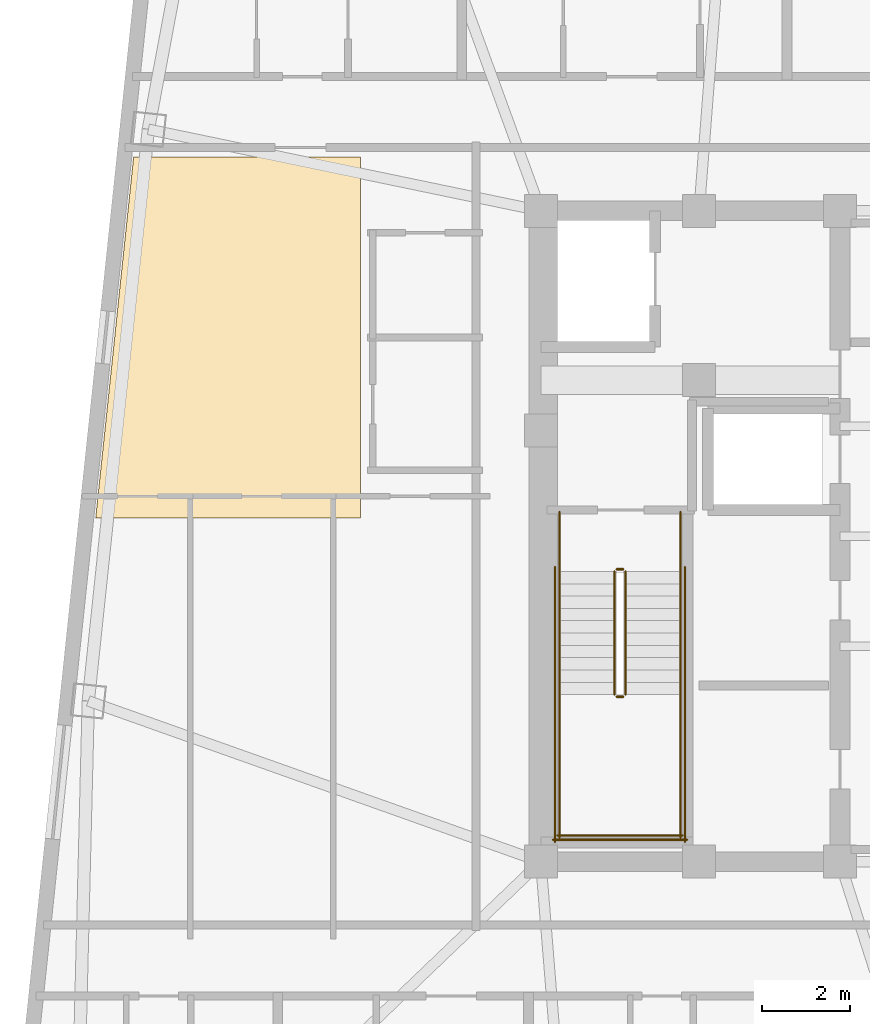
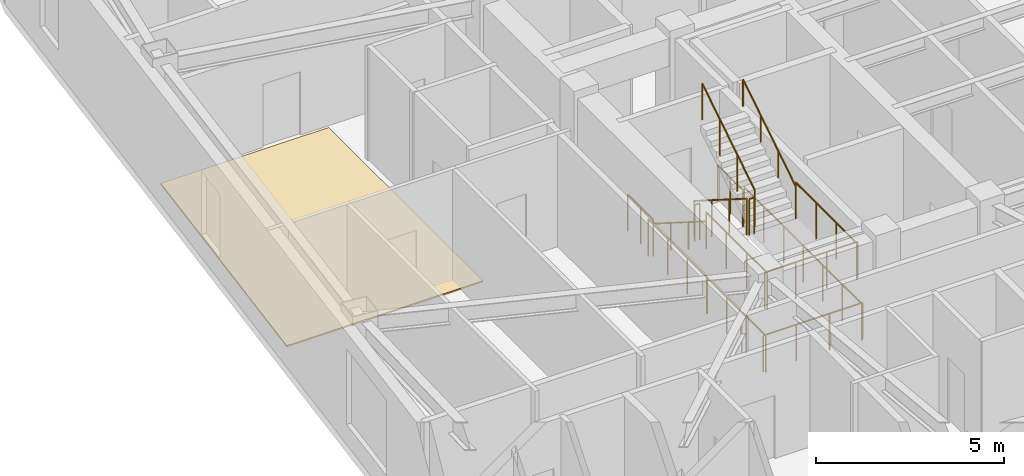
# One storey, part 10 of 11: 14 railings, 1 covering.
"""IFC4 building model written with IfcOpenShell, lengths in metres."""

from ifc_helpers import new_model, si_unit, direction, frame, origin, origin_2d, place, context, subcontext, project, spatial, polyline, circle, outline, extrude, material, layer, layer_set, type_object, element, save


model = new_model("IFC4")

# Units and contexts
model_context = context("Model", 3, precision=1e-05, world=origin(), true_north=direction((0.0, 1.0)))
body_context = subcontext(model_context, "Body", "Model", "MODEL_VIEW")
ifc_project = project(units=[si_unit("LENGTHUNIT", "METRE"), si_unit("AREAUNIT", "SQUARE_METRE"), si_unit("VOLUMEUNIT", "CUBIC_METRE"), si_unit("PLANEANGLEUNIT", "RADIAN"), si_unit("MASSUNIT", "GRAM", prefix="KILO")], contexts=[model_context])

# Site, building, storey
site_placement = place(None, origin())
site = spatial("IfcSite", under=ifc_project, at=site_placement, CompositionType="ELEMENT")
building_placement = place(site_placement, origin())
building = spatial("IfcBuilding", under=site, at=building_placement, Name="Voryun Gate Residences", CompositionType="ELEMENT")
storey_placement = place(building_placement, frame((0.0, 0.0, 302.89990234375)))
storey = spatial("IfcBuildingStorey", under=building, at=storey_placement, Name="L75", CompositionType="ELEMENT", Elevation=302.89990234375)

# Covering
ifc_material_1 = material(Name="Architectural oak flooring")
ifc_layer = layer(ifc_material_1, 0.044921875, Name="COV_FLOOR_ONDOL_OAK")
ifc_layer_set = layer_set([ifc_layer], Name="Architectural oak flooring")
covering_type = type_object("IfcCoveringType", Name="COV_FLOOR_ONDOL_OAK", PredefinedType="FLOORING", material=ifc_layer_set)
covering_placement = place(storey_placement, origin())
element("IfcCovering", 1, at=covering_placement, inside=storey, type_object=covering_type, Name="Ondol oak floor FLR-L75-01", PredefinedType="FLOORING", context=body_context, shape_type="SweptSolid", body=[
    extrude(outline(polyline([(-23.300048828125, 8.6201171875), (-23.300048828125, 0.419921875), (-29.3193359375, 0.419921875), (-28.45751953125, 8.6201171875), (-23.300048828125, 8.6201171875)])), origin(), (0.0, 0.0, 1.0), 0.045166015625),
])

# Railings
ifc_material_2 = material(Name="Painted steel", Category="steel")
railing_type_1 = type_object("IfcRailingType", Name="RAIL_STAIR_GUARD_1200", PredefinedType="GUARDRAIL", material=ifc_material_2)
railing_1_placement = place(storey_placement, frame((-17.52490234375, -0.800048828125, 0.177490234375)))
element("IfcRailing", 2, at=railing_1_placement, inside=storey, type_object=railing_type_1, Name="L75 ST-W1 stair guard 1", PredefinedType="GUARDRAIL", context=body_context, shape_type="SweptSolid", body=[
    extrude(circle(Radius=0.02392578125, at=origin_2d()), frame((0.0, 0.0, 1.17578125), z_axis=(0.0, -0.844908973607, 0.534910110503), x_axis=(1.0, 0.0, 0.0)), (0.0, 0.0, 1.0), 3.31396484375),
    extrude(circle(Radius=0.02099609375, at=origin_2d()), origin(), (0.0, 0.0, 1.0), 1.15185546875),
    extrude(circle(Radius=0.02099609375, at=origin_2d()), frame((0.0, -0.933349609375, 0.5908203125)), (0.0, 0.0, 1.0), 1.15185546875),
    extrude(circle(Radius=0.02099609375, at=origin_2d()), frame((0.0, -1.86669921875, 1.181884765625)), (0.0, 0.0, 1.0), 1.15185546875),
    extrude(circle(Radius=0.02099609375, at=origin_2d()), frame((0.0, -2.800048828125, 1.772705078125)), (0.0, 0.0, 1.0), 1.15185546875),
])
railing_2_placement = place(storey_placement, frame((-17.47509765625, -3.64990234375, 1.9501953125)))
element("IfcRailing", 3, at=railing_2_placement, inside=storey, type_object=railing_type_1, Name="L75 ST-W1 stair guard 2", PredefinedType="GUARDRAIL", context=body_context, shape_type="SweptSolid", body=[
    extrude(circle(Radius=0.02392578125, at=origin_2d()), frame((0.0, 0.0, 1.17578125), z_axis=(1.0, 0.0, 0.0), x_axis=(0.0, 1.0, 0.0)), (0.0, 0.0, 1.0), 0.150146484375),
    extrude(circle(Radius=0.02099609375, at=origin_2d()), origin(), (0.0, 0.0, 1.0), 1.15185546875),
    extrude(circle(Radius=0.02099609375, at=origin_2d()), frame((0.150146484375, 0.0, 0.0)), (0.0, 0.0, 1.0), 1.15185546875),
])
for number, where, name in (
    (4, (-18.77490234375, -3.60009765625, 1.9501953125), "L75 ST-W1 stair guard 3"),
    (5, (-16.02490234375, -3.60009765625, 1.9501953125), "L75 ST-W1 stair guard 4"),
):
    element("IfcRailing", number, at=place(storey_placement, frame(where)), inside=storey, type_object=railing_type_1, Name=name, PredefinedType="GUARDRAIL", context=body_context, shape_type="SweptSolid", body=[
        extrude(circle(Radius=0.02392578125, at=origin_2d()), frame((0.0, 0.0, 1.17578125), z_axis=(0.0, -1.0, 0.0), x_axis=(1.0, 0.0, 0.0)), (0.0, 0.0, 1.0), 3.25),
        extrude(circle(Radius=0.02099609375, at=origin_2d()), origin(), (0.0, 0.0, 1.0), 1.15185546875),
        extrude(circle(Radius=0.02099609375, at=origin_2d()), frame((0.0, -1.083251953125, 0.0)), (0.0, 0.0, 1.0), 1.15185546875),
        extrude(circle(Radius=0.02099609375, at=origin_2d()), frame((0.0, -2.166748046875, 0.0)), (0.0, 0.0, 1.0), 1.15185546875),
        extrude(circle(Radius=0.02099609375, at=origin_2d()), frame((0.0, -3.25, 0.0)), (0.0, 0.0, 1.0), 1.15185546875),
    ])
railing_3_placement = place(storey_placement, frame((-18.824951171875, -6.800048828125, 1.9501953125)))
element("IfcRailing", 6, at=railing_3_placement, inside=storey, type_object=railing_type_1, Name="L75 ST-W1 stair guard 5", PredefinedType="GUARDRAIL", context=body_context, shape_type="SweptSolid", body=[
    extrude(circle(Radius=0.02392578125, at=origin_2d()), frame((0.0, 0.0, 1.17578125), z_axis=(1.0, 0.0, 0.0), x_axis=(0.0, 1.0, 0.0)), (0.0, 0.0, 1.0), 2.849853515625),
    extrude(circle(Radius=0.02099609375, at=origin_2d()), origin(), (0.0, 0.0, 1.0), 1.15185546875),
    extrude(circle(Radius=0.02099609375, at=origin_2d()), frame((0.949951171875, 0.0, 0.0)), (0.0, 0.0, 1.0), 1.15185546875),
    extrude(circle(Radius=0.02099609375, at=origin_2d()), frame((1.89990234375, 0.0, 0.0)), (0.0, 0.0, 1.0), 1.15185546875),
    extrude(circle(Radius=0.02099609375, at=origin_2d()), frame((2.849853515625, 0.0, 0.0)), (0.0, 0.0, 1.0), 1.15185546875),
])
railing_4_placement = place(storey_placement, frame((-17.27490234375, -3.60009765625, 2.12744140625)))
element("IfcRailing", 7, at=railing_4_placement, inside=storey, type_object=railing_type_1, Name="L75 ST-W1 stair guard 6", PredefinedType="GUARDRAIL", context=body_context, shape_type="SweptSolid", body=[
    extrude(circle(Radius=0.02392578125, at=origin_2d()), frame((0.0, 0.0, 1.17578125), z_axis=(0.0, 0.844908973607, 0.534910110503), x_axis=(-1.0, 0.0, 0.0)), (0.0, 0.0, 1.0), 3.31396484375),
    extrude(circle(Radius=0.02099609375, at=origin_2d()), origin(), (0.0, 0.0, 1.0), 1.15185546875),
    extrude(circle(Radius=0.02099609375, at=origin_2d()), frame((0.0, 0.933349609375, 0.5908203125)), (0.0, 0.0, 1.0), 1.15185546875),
    extrude(circle(Radius=0.02099609375, at=origin_2d()), frame((0.0, 1.86669921875, 1.181884765625)), (0.0, 0.0, 1.0), 1.15185546875),
    extrude(circle(Radius=0.02099609375, at=origin_2d()), frame((0.0, 2.800048828125, 1.772705078125)), (0.0, 0.0, 1.0), 1.15185546875),
])
railing_5_placement = place(storey_placement, frame((-17.47509765625, -0.75, 0.0)))
element("IfcRailing", 8, at=railing_5_placement, inside=storey, type_object=railing_type_1, Name="L75 ST-W1 stair guard 7", PredefinedType="GUARDRAIL", context=body_context, shape_type="SweptSolid", body=[
    extrude(circle(Radius=0.02392578125, at=origin_2d()), frame((0.0, 0.0, 1.17578125), z_axis=(1.0, 0.0, 0.0), x_axis=(0.0, 1.0, 0.0)), (0.0, 0.0, 1.0), 0.150146484375),
    extrude(circle(Radius=0.02099609375, at=origin_2d()), origin(), (0.0, 0.0, 1.0), 1.15185546875),
    extrude(circle(Radius=0.02099609375, at=origin_2d()), frame((0.150146484375, 0.0, 0.0)), (0.0, 0.0, 1.0), 1.15185546875),
])
for number, where, name in (
    (9, (-18.77490234375, 0.550048828125, 0.0), "L75 ST-W1 stair guard 8"),
    (10, (-16.02490234375, 0.550048828125, 0.0), "L75 ST-W1 stair guard 9"),
):
    element("IfcRailing", number, at=place(storey_placement, frame(where)), inside=storey, type_object=railing_type_1, Name=name, PredefinedType="GUARDRAIL", context=body_context, shape_type="SweptSolid", body=[
        extrude(circle(Radius=0.02392578125, at=origin_2d()), frame((0.0, 0.0, 1.17578125), z_axis=(0.0, -1.0, 0.0), x_axis=(1.0, 0.0, 0.0)), (0.0, 0.0, 1.0), 1.35009765625),
        extrude(circle(Radius=0.02099609375, at=origin_2d()), origin(), (0.0, 0.0, 1.0), 1.15185546875),
        extrude(circle(Radius=0.02099609375, at=origin_2d()), frame((0.0, -0.675048828125, 0.0)), (0.0, 0.0, 1.0), 1.15185546875),
        extrude(circle(Radius=0.02099609375, at=origin_2d()), frame((0.0, -1.35009765625, 0.0)), (0.0, 0.0, 1.0), 1.15185546875),
    ])
for number, where, name in (
    (11, (-18.875, -0.699951171875, 0.0), "L75 ST-W1 stair guard 10"),
    (12, (-15.925048828125, -0.699951171875, 0.0), "L75 ST-W1 stair guard 11"),
):
    element("IfcRailing", number, at=place(storey_placement, frame(where)), inside=storey, type_object=railing_type_1, Name=name, PredefinedType="GUARDRAIL", context=body_context, shape_type="SweptSolid", body=[
        extrude(circle(Radius=0.02392578125, at=origin_2d()), frame((0.0, 0.0, 1.17578125), z_axis=(0.0, -1.0, 0.0), x_axis=(1.0, 0.0, 0.0)), (0.0, 0.0, 1.0), 6.25),
        extrude(circle(Radius=0.02099609375, at=origin_2d()), origin(), (0.0, 0.0, 1.0), 1.15185546875),
        extrude(circle(Radius=0.02099609375, at=origin_2d()), frame((0.0, -1.041748046875, 0.0)), (0.0, 0.0, 1.0), 1.15185546875),
        extrude(circle(Radius=0.02099609375, at=origin_2d()), frame((0.0, -2.083251953125, 0.0)), (0.0, 0.0, 1.0), 1.15185546875),
        extrude(circle(Radius=0.02099609375, at=origin_2d()), frame((0.0, -3.125, 0.0)), (0.0, 0.0, 1.0), 1.15185546875),
        extrude(circle(Radius=0.02099609375, at=origin_2d()), frame((0.0, -4.166748046875, 0.0)), (0.0, 0.0, 1.0), 1.15185546875),
        extrude(circle(Radius=0.02099609375, at=origin_2d()), frame((0.0, -5.208251953125, 0.0)), (0.0, 0.0, 1.0), 1.15185546875),
        extrude(circle(Radius=0.02099609375, at=origin_2d()), frame((0.0, -6.25, 0.0)), (0.0, 0.0, 1.0), 1.15185546875),
    ])
railing_6_placement = place(storey_placement, frame((-18.925048828125, -6.89990234375, 0.0)))
element("IfcRailing", 13, at=railing_6_placement, inside=storey, type_object=railing_type_1, Name="L75 ST-W1 stair guard 12", PredefinedType="GUARDRAIL", context=body_context, shape_type="SweptSolid", body=[
    extrude(circle(Radius=0.02392578125, at=origin_2d()), frame((0.0, 0.0, 1.17578125), z_axis=(1.0, 0.0, 0.0), x_axis=(0.0, 1.0, 0.0)), (0.0, 0.0, 1.0), 3.050048828125),
    extrude(circle(Radius=0.02099609375, at=origin_2d()), origin(), (0.0, 0.0, 1.0), 1.15185546875),
    extrude(circle(Radius=0.02099609375, at=origin_2d()), frame((1.0166015625, 0.0, 0.0)), (0.0, 0.0, 1.0), 1.15185546875),
    extrude(circle(Radius=0.02099609375, at=origin_2d()), frame((2.033447265625, 0.0, 0.0)), (0.0, 0.0, 1.0), 1.15185546875),
    extrude(circle(Radius=0.02099609375, at=origin_2d()), frame((3.050048828125, 0.0, 0.0)), (0.0, 0.0, 1.0), 1.15185546875),
])
ifc_material_3 = material(Name="Painted steel", Category="steel")
railing_type_2 = type_object("IfcRailingType", Name="RAIL_STAIR_HANDRAIL_900", PredefinedType="HANDRAIL", material=ifc_material_3)
railing_7_placement = place(storey_placement, frame((-18.77490234375, -0.800048828125, 0.177490234375)))
element("IfcRailing", 14, at=railing_7_placement, inside=storey, type_object=railing_type_2, Name="L75 ST-W1 stair handrail 1", PredefinedType="HANDRAIL", context=body_context, shape_type="SweptSolid", body=[
    extrude(circle(Radius=0.02392578125, at=origin_2d()), frame((0.0, 0.0, 0.8759765625), z_axis=(0.0, -0.844908973607, 0.534910110503), x_axis=(1.0, 0.0, 0.0)), (0.0, 0.0, 1.0), 3.31396484375),
    extrude(circle(Radius=0.02099609375, at=origin_2d()), origin(), (0.0, 0.0, 1.0), 0.851806640625),
    extrude(circle(Radius=0.02099609375, at=origin_2d()), frame((0.0, -0.933349609375, 0.5908203125)), (0.0, 0.0, 1.0), 0.851806640625),
    extrude(circle(Radius=0.02099609375, at=origin_2d()), frame((0.0, -1.86669921875, 1.181884765625)), (0.0, 0.0, 1.0), 0.851806640625),
    extrude(circle(Radius=0.02099609375, at=origin_2d()), frame((0.0, -2.800048828125, 1.772705078125)), (0.0, 0.0, 1.0), 0.851806640625),
])
railing_8_placement = place(storey_placement, frame((-16.02490234375, -3.60009765625, 2.12744140625)))
element("IfcRailing", 15, at=railing_8_placement, inside=storey, type_object=railing_type_2, Name="L75 ST-W1 stair handrail 2", PredefinedType="HANDRAIL", context=body_context, shape_type="SweptSolid", body=[
    extrude(circle(Radius=0.02392578125, at=origin_2d()), frame((0.0, 0.0, 0.8759765625), z_axis=(0.0, 0.844908973607, 0.534910110503), x_axis=(-1.0, 0.0, 0.0)), (0.0, 0.0, 1.0), 3.31396484375),
    extrude(circle(Radius=0.02099609375, at=origin_2d()), origin(), (0.0, 0.0, 1.0), 0.851806640625),
    extrude(circle(Radius=0.02099609375, at=origin_2d()), frame((0.0, 0.933349609375, 0.5908203125)), (0.0, 0.0, 1.0), 0.851806640625),
    extrude(circle(Radius=0.02099609375, at=origin_2d()), frame((0.0, 1.86669921875, 1.181884765625)), (0.0, 0.0, 1.0), 0.851806640625),
    extrude(circle(Radius=0.02099609375, at=origin_2d()), frame((0.0, 2.800048828125, 1.772705078125)), (0.0, 0.0, 1.0), 0.851806640625),
])

save(model, "model.ifc")
